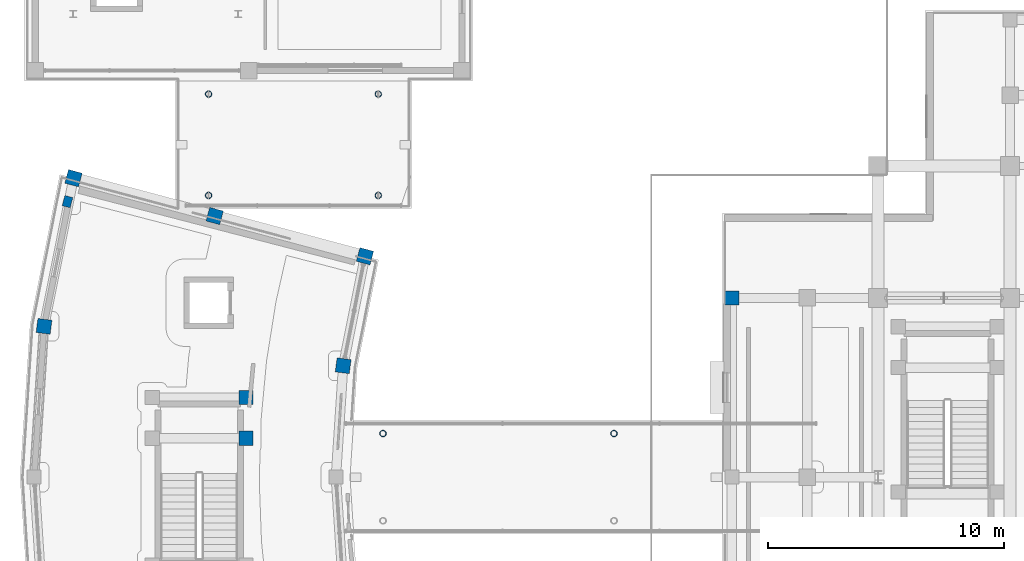
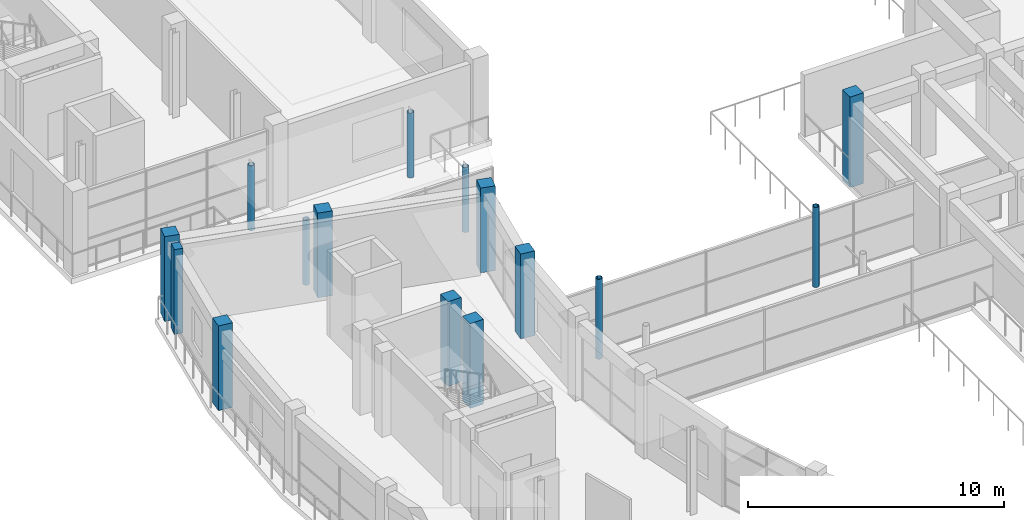
# One storey, part 3 of 72: 15 columns.
"""IFC4 building model written with IfcOpenShell, lengths in metres."""

from ifc_helpers import new_model, si_unit, direction, frame, origin, origin_2d, place, context, subcontext, project, spatial, rectangle, hollow_circle, extrude, material, material_profile, profile_set, type_object, element, save


model = new_model("IFC4")

# Units and contexts
model_context = context("Model", 3, precision=1e-05, world=origin(), true_north=direction((0.0, 1.0)))
body_context = subcontext(model_context, "Body", "Model", "MODEL_VIEW")
ifc_project = project(units=[si_unit("LENGTHUNIT", "METRE"), si_unit("AREAUNIT", "SQUARE_METRE"), si_unit("VOLUMEUNIT", "CUBIC_METRE"), si_unit("PLANEANGLEUNIT", "RADIAN"), si_unit("MASSUNIT", "GRAM", prefix="KILO")], contexts=[model_context])

# Site, building, storey
site_placement = place(None, origin())
site = spatial("IfcSite", under=ifc_project, at=site_placement, CompositionType="ELEMENT")
building_placement = place(site_placement, origin())
building = spatial("IfcBuilding", under=site, at=building_placement, Name="Saryqyr Civic Hall", CompositionType="ELEMENT")
storey_placement = place(building_placement, frame((0.0, 0.0, 17.25)))
storey = spatial("IfcBuildingStorey", under=building, at=storey_placement, Name="L04", CompositionType="ELEMENT", Elevation=17.25)

# Columns
ifc_material_1 = material(Name="Steel S355", Category="steel")
ifc_material_profile_1 = material_profile(ifc_material_1, hollow_circle(Radius=0.136474609375, WallThickness=0.01611328125, at=origin_2d()), Name="CHS 273x16")
ifc_profile_set_1 = profile_set([ifc_material_profile_1], Name="Steel S355")
column_type_1 = type_object("IfcColumnType", Name="STR-COL-CHS273-S355", PredefinedType="COLUMN", material=ifc_profile_set_1)
for number, where, z_axis, x_axis, name in (
    (1, (15.39990234375, 95.949951171875, 0.0), (0.0, 0.0, 1.0), (1.0, 0.0, 0.0), "Column BRCOL-BR-NW-1-L04"),
    (2, (22.60009765625, 95.949951171875, 0.0), (0.0, 0.0, 1.0), (1.0, 0.0, 0.0), "Column BRCOL-BR-NW-2-L04"),
    (3, (22.60009765625, 100.25, 0.0), (0.0, 0.0, 1.0), (1.0, 0.0, 0.0), "Column BRCOL-BR-NW-3-L04"),
    (4, (15.39990234375, 100.25, 0.0), (0.0, 0.0, 1.0), (1.0, 0.0, 0.0), "Column BRCOL-BR-NW-4-L04"),
):
    element("IfcColumn", number, at=place(storey_placement, frame(where, z_axis=z_axis, x_axis=x_axis)), inside=storey, type_object=column_type_1, Name=name, PredefinedType="COLUMN", context=body_context, shape_type="SweptSolid", body=[
        extrude(hollow_circle(Radius=0.136474609375, WallThickness=0.01611328125, at=origin_2d()), origin(), (0.0, 0.0, 1.0), 3.10009765625),
    ])
for number, where, z_axis, x_axis, name in (
    (5, (32.60009765625, 85.85009765625, 0.0), (0.0, 0.0, 1.0), (1.0, 0.0, 0.0), "Column BRCOL-BR-CW-3-L04"),
    (6, (22.800048828125, 85.85009765625, 0.0), (0.0, 0.0, 1.0), (1.0, 0.0, 0.0), "Column BRCOL-BR-CW-4-L04"),
):
    element("IfcColumn", number, at=place(storey_placement, frame(where, z_axis=z_axis, x_axis=x_axis)), inside=storey, type_object=column_type_1, Name=name, PredefinedType="COLUMN", context=body_context, shape_type="SweptSolid", body=[
        extrude(hollow_circle(Radius=0.136474609375, WallThickness=0.01611328125, at=origin_2d()), origin(), (0.0, 0.0, 1.0), 3.820068359375),
    ])
ifc_material_2 = material(Name="Concrete C40/50", Category="concrete")
ifc_material_profile_2 = material_profile(ifc_material_2, rectangle(XDim=0.60009765625, YDim=0.60009765625, at=origin_2d()), Name="RC 600x600")
ifc_profile_set_2 = profile_set([ifc_material_profile_2], Name="Concrete C40/50")
column_type_2 = type_object("IfcColumnType", Name="STR-COL-RC600-C40", PredefinedType="COLUMN", material=ifc_profile_set_2)
column_1_placement = place(storey_placement, frame((37.60009765625, 91.60009765625, -0.280029296875), z_axis=(0.0, 0.0, 1.0), x_axis=(1.0, 0.0, 0.0)))
element("IfcColumn", 7, at=column_1_placement, inside=storey, type_object=column_type_2, Name="Column V1-COL-TG-W3-L04", PredefinedType="COLUMN", context=body_context, shape_type="SweptSolid", body=[
    extrude(rectangle(XDim=0.60009765625, YDim=0.60009765625, at=origin_2d()), origin(), (0.0, 0.0, 1.0), 4.330078125),
])
for number, where, z_axis, x_axis, name in (
    (8, (22.033447265625, 93.369140625, 0.0), (0.0, 0.0, 1.0), (-0.965925826289, 0.258819045103, 0.0), "Column V4-COL-IN00-L04"),
    (9, (15.658447265625, 95.077392578125, 0.0), (0.0, 0.0, 1.0), (-0.965925826289, 0.258819045103, 0.0), "Column V4-COL-MID00-L04"),
    (10, (9.669677734375, 96.68212890625, 0.0), (0.0, 0.0, 1.0), (-0.965925826289, 0.258819045103, 0.0), "Column V4-COL-OUT00-L04"),
    (11, (21.109619140625, 88.72509765625, 0.0), (0.0, 0.0, 1.0), (-0.991444861374, 0.13052619222, 0.0), "Column V4-COL-IN01-L04"),
    (12, (8.419189453125, 90.395751953125, 0.0), (0.0, 0.0, 1.0), (-0.991444861374, 0.13052619222, 0.0), "Column V4-COL-OUT01-L04"),
    (13, (16.989990234375, 85.64990234375, 0.0), (0.0, 0.0, 1.0), (1.0, 0.0, 0.0), "Column ST-4-SCOL-LND1A-L04"),
    (14, (16.989990234375, 87.3798828125, 0.0), (0.0, 0.0, 1.0), (1.0, 0.0, 0.0), "Column ST-4-SCOL-LND2A-L04"),
):
    element("IfcColumn", number, at=place(storey_placement, frame(where, z_axis=z_axis, x_axis=x_axis)), inside=storey, type_object=column_type_2, Name=name, PredefinedType="COLUMN", context=body_context, shape_type="SweptSolid", body=[
        extrude(rectangle(XDim=0.60009765625, YDim=0.60009765625, at=origin_2d()), origin(), (0.0, 0.0, 1.0), 4.050048828125),
    ])
ifc_material_3 = material(Name="Concrete C35/45", Category="concrete")
ifc_material_profile_3 = material_profile(ifc_material_3, rectangle(XDim=0.35009765625, YDim=0.449951171875, at=origin_2d()), Name="RC 350x450")
ifc_profile_set_3 = profile_set([ifc_material_profile_3], Name="Concrete C35/45")
column_type_3 = type_object("IfcColumnType", Name="STR-PIL-RC350x450-EXT", PredefinedType="PILASTER", material=ifc_profile_set_3)
column_2_placement = place(storey_placement, frame((9.414306640625, 95.68798828125, 0.0), z_axis=(0.0, 0.0, 1.0), x_axis=(-0.965925826289, 0.258819045103, 0.0)))
element("IfcColumn", 15, at=column_2_placement, inside=storey, type_object=column_type_3, Name="Column V4-PIL-00-L04", PredefinedType="PILASTER", context=body_context, shape_type="SweptSolid", body=[
    extrude(rectangle(XDim=0.35009765625, YDim=0.449951171875, at=origin_2d()), origin(), (0.0, 0.0, 1.0), 4.050048828125),
])

save(model, "model.ifc")
